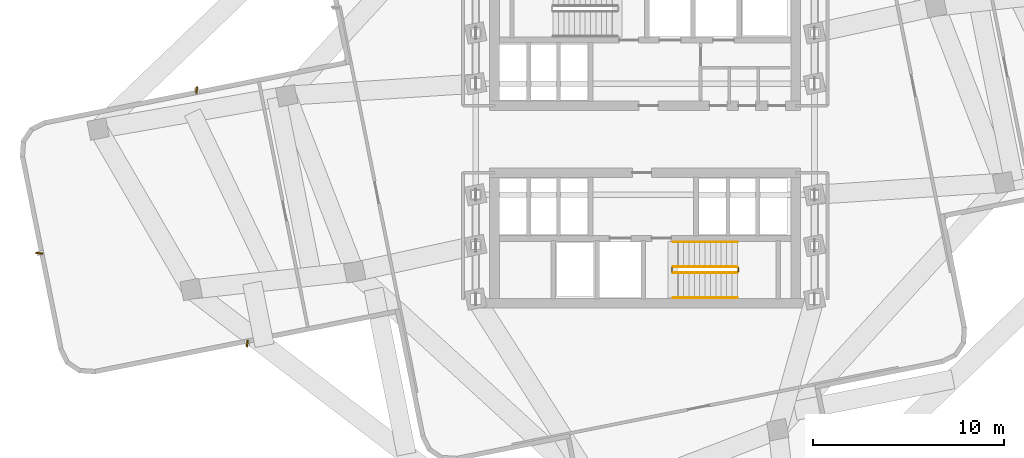
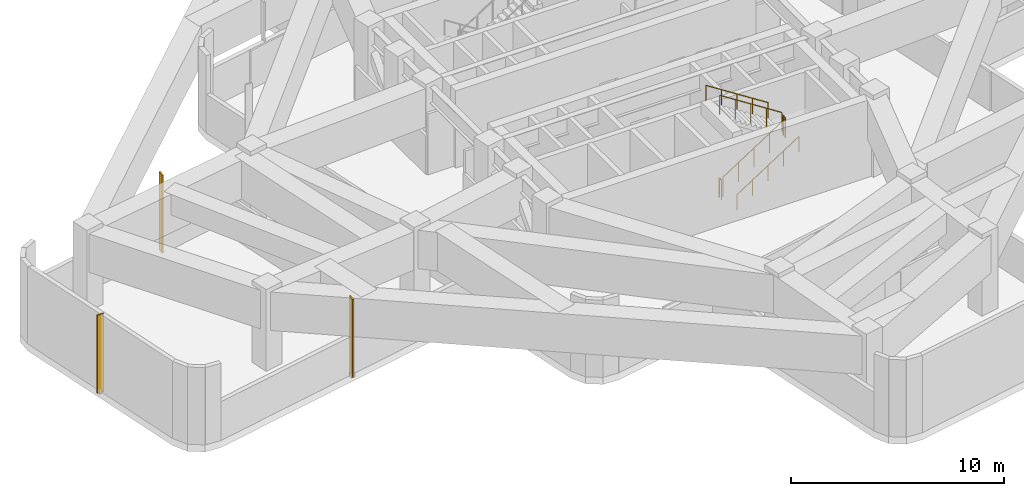
# One storey, part 6 of 7: 6 railings, 3 shading devices.
"""IFC4 building model written with IfcOpenShell, lengths in metres."""

from ifc_helpers import new_model, si_unit, direction, frame, origin, origin_2d, place, context, subcontext, project, spatial, rectangle, circle, extrude, material, layer, layer_set, type_object, element, save


model = new_model("IFC4")

# Units and contexts
model_context = context("Model", 3, precision=1e-05, world=origin(), true_north=direction((0.0, 1.0)))
body_context = subcontext(model_context, "Body", "Model", "MODEL_VIEW")
ifc_project = project(units=[si_unit("LENGTHUNIT", "METRE"), si_unit("AREAUNIT", "SQUARE_METRE"), si_unit("VOLUMEUNIT", "CUBIC_METRE"), si_unit("PLANEANGLEUNIT", "RADIAN"), si_unit("MASSUNIT", "GRAM", prefix="KILO")], contexts=[model_context])

# Site, building, storey
site_placement = place(None, origin())
site = spatial("IfcSite", under=ifc_project, at=site_placement, CompositionType="ELEMENT")
building_placement = place(site_placement, origin())
building = spatial("IfcBuilding", under=site, at=building_placement, Name="Solmarez Civic Tower", CompositionType="ELEMENT")
storey_placement = place(building_placement, frame((0.0, 0.0, 107.280029296875)))
storey = spatial("IfcBuildingStorey", under=building, at=storey_placement, Name="L28", CompositionType="ELEMENT", Elevation=107.280029296875)

# Railings
ifc_material_1 = material(Name="Painted Steel Stairwell Safety Guard", Category="steel")
railing_type_1 = type_object("IfcRailingType", Name="GUARD-STAIR-1120", PredefinedType="BALUSTRADE", material=ifc_material_1)
railing_1_placement = place(storey_placement, frame((1.449951171875, -6.969970703125, 0.179931640625)))
element("IfcRailing", 1, at=railing_1_placement, inside=storey, type_object=railing_type_1, Name="L28 ST-2 stair guard 1", PredefinedType="BALUSTRADE", context=body_context, shape_type="SweptSolid", body=[
    extrude(circle(Radius=0.02392578125, at=origin_2d()), frame((0.0, 0.0, 1.09619140625), z_axis=(0.8411685463, 0.0, 0.540773036232), x_axis=(0.0, 1.0, 0.0)), (0.0, 0.0, 1.0), 3.99462890625),
    extrude(circle(Radius=0.02099609375, at=origin_2d()), origin(), (0.0, 0.0, 1.0), 1.072021484375),
    extrude(circle(Radius=0.02099609375, at=origin_2d()), frame((0.840087890625, 0.0, 0.5400390625)), (0.0, 0.0, 1.0), 1.072021484375),
    extrude(circle(Radius=0.02099609375, at=origin_2d()), frame((1.68017578125, 0.0, 1.080078125)), (0.0, 0.0, 1.0), 1.072021484375),
    extrude(circle(Radius=0.02099609375, at=origin_2d()), frame((2.52001953125, 0.0, 1.6201171875)), (0.0, 0.0, 1.0), 1.072021484375),
    extrude(circle(Radius=0.02099609375, at=origin_2d()), frame((3.360107421875, 0.0, 2.16015625)), (0.0, 0.0, 1.0), 1.072021484375),
])
railing_2_placement = place(storey_placement, frame((4.860107421875, -6.919921875, 2.340087890625)))
element("IfcRailing", 2, at=railing_2_placement, inside=storey, type_object=railing_type_1, Name="L28 ST-2 stair guard 2", PredefinedType="BALUSTRADE", context=body_context, shape_type="SweptSolid", body=[
    extrude(circle(Radius=0.02392578125, at=origin_2d()), frame((0.0, 0.0, 1.09619140625), z_axis=(0.0, 1.0, 0.0), x_axis=(-1.0, 0.0, 0.0)), (0.0, 0.0, 1.0), 0.199951171875),
    extrude(circle(Radius=0.02099609375, at=origin_2d()), origin(), (0.0, 0.0, 1.0), 1.072021484375),
    extrude(circle(Radius=0.02099609375, at=origin_2d()), frame((0.0, 0.199951171875, 0.0)), (0.0, 0.0, 1.0), 1.072021484375),
])
railing_3_placement = place(storey_placement, frame((4.81005859375, -6.669921875, 2.52001953125)))
element("IfcRailing", 3, at=railing_3_placement, inside=storey, type_object=railing_type_1, Name="L28 ST-2 stair guard 3", PredefinedType="BALUSTRADE", context=body_context, shape_type="SweptSolid", body=[
    extrude(circle(Radius=0.02392578125, at=origin_2d()), frame((0.0, 0.0, 1.09619140625), z_axis=(-0.84119634759, 0.0, 0.540729789082), x_axis=(0.0, -1.0, 0.0)), (0.0, 0.0, 1.0), 3.994384765625),
    extrude(circle(Radius=0.02099609375, at=origin_2d()), origin(), (0.0, 0.0, 1.0), 1.072021484375),
    extrude(circle(Radius=0.02099609375, at=origin_2d()), frame((-0.840087890625, 0.0, 0.5400390625)), (0.0, 0.0, 1.0), 1.072021484375),
    extrude(circle(Radius=0.02099609375, at=origin_2d()), frame((-1.68017578125, 0.0, 1.080078125)), (0.0, 0.0, 1.0), 1.072021484375),
    extrude(circle(Radius=0.02099609375, at=origin_2d()), frame((-2.52001953125, 0.0, 1.619873046875)), (0.0, 0.0, 1.0), 1.072021484375),
    extrude(circle(Radius=0.02099609375, at=origin_2d()), frame((-3.360107421875, 0.0, 2.159912109375)), (0.0, 0.0, 1.0), 1.072021484375),
])
railing_4_placement = place(storey_placement, frame((1.39990234375, -6.919921875, 0.0)))
element("IfcRailing", 4, at=railing_4_placement, inside=storey, type_object=railing_type_1, Name="L28 ST-2 stair guard 4", PredefinedType="BALUSTRADE", context=body_context, shape_type="SweptSolid", body=[
    extrude(circle(Radius=0.02392578125, at=origin_2d()), frame((0.0, 0.0, 1.09619140625), z_axis=(0.0, 1.0, 0.0), x_axis=(-1.0, 0.0, 0.0)), (0.0, 0.0, 1.0), 0.199951171875),
    extrude(circle(Radius=0.02099609375, at=origin_2d()), origin(), (0.0, 0.0, 1.0), 1.072021484375),
    extrude(circle(Radius=0.02099609375, at=origin_2d()), frame((0.0, 0.199951171875, 0.0)), (0.0, 0.0, 1.0), 1.072021484375),
])
ifc_material_2 = material(Name="Brushed Stainless Steel Tube Handrail", Category="steel")
railing_type_2 = type_object("IfcRailingType", Name="HANDRAIL-STAIR-900", PredefinedType="HANDRAIL", material=ifc_material_2)
railing_5_placement = place(storey_placement, frame((1.449951171875, -8.27001953125, 0.179931640625)))
element("IfcRailing", 5, at=railing_5_placement, inside=storey, type_object=railing_type_2, Name="L28 ST-2 stair handrail 1", PredefinedType="HANDRAIL", context=body_context, shape_type="SweptSolid", body=[
    extrude(circle(Radius=0.02392578125, at=origin_2d()), frame((0.0, 0.0, 0.8759765625), z_axis=(0.8411685463, 0.0, 0.540773036232), x_axis=(0.0, 1.0, 0.0)), (0.0, 0.0, 1.0), 3.99462890625),
    extrude(circle(Radius=0.02099609375, at=origin_2d()), origin(), (0.0, 0.0, 1.0), 0.851806640625),
    extrude(circle(Radius=0.02099609375, at=origin_2d()), frame((0.840087890625, 0.0, 0.5400390625)), (0.0, 0.0, 1.0), 0.851806640625),
    extrude(circle(Radius=0.02099609375, at=origin_2d()), frame((1.68017578125, 0.0, 1.080078125)), (0.0, 0.0, 1.0), 0.851806640625),
    extrude(circle(Radius=0.02099609375, at=origin_2d()), frame((2.52001953125, 0.0, 1.6201171875)), (0.0, 0.0, 1.0), 0.851806640625),
    extrude(circle(Radius=0.02099609375, at=origin_2d()), frame((3.360107421875, 0.0, 2.16015625)), (0.0, 0.0, 1.0), 0.851806640625),
])
railing_6_placement = place(storey_placement, frame((4.81005859375, -5.3701171875, 2.52001953125)))
element("IfcRailing", 6, at=railing_6_placement, inside=storey, type_object=railing_type_2, Name="L28 ST-2 stair handrail 2", PredefinedType="HANDRAIL", context=body_context, shape_type="SweptSolid", body=[
    extrude(circle(Radius=0.02392578125, at=origin_2d()), frame((0.0, 0.0, 0.8759765625), z_axis=(-0.84119634759, 0.0, 0.540729789082), x_axis=(0.0, -1.0, 0.0)), (0.0, 0.0, 1.0), 3.994384765625),
    extrude(circle(Radius=0.02099609375, at=origin_2d()), origin(), (0.0, 0.0, 1.0), 0.851806640625),
    extrude(circle(Radius=0.02099609375, at=origin_2d()), frame((-0.840087890625, 0.0, 0.5400390625)), (0.0, 0.0, 1.0), 0.851806640625),
    extrude(circle(Radius=0.02099609375, at=origin_2d()), frame((-1.68017578125, 0.0, 1.080078125)), (0.0, 0.0, 1.0), 0.851806640625),
    extrude(circle(Radius=0.02099609375, at=origin_2d()), frame((-2.52001953125, 0.0, 1.619873046875)), (0.0, 0.0, 1.0), 0.851806640625),
    extrude(circle(Radius=0.02099609375, at=origin_2d()), frame((-3.360107421875, 0.0, 2.159912109375)), (0.0, 0.0, 1.0), 0.851806640625),
])

# Shading devices
ifc_material_3 = material(Name="Bronze Anodised Aluminium EN AW-6063 T6", Category="aluminium")
ifc_layer = layer(ifc_material_3, 0.080078125)
ifc_layer_set = layer_set([ifc_layer], Name="Bronze Anodised Aluminium EN AW-6063 T6")
shading_device_type = type_object("IfcShadingDeviceType", Name="LOUVRE-PLANT-1", PredefinedType="USERDEFINED", material=ifc_layer_set)
for number, where, z_axis, x_axis, name in (
    (7, (-20.784912109375, -10.677001953125, -0.0400390625), (0.0, 0.0, 1.0), (-0.071828204285, -0.997417018638, 0.0), "L28 Acoustic Plant Louvre LVR-L28-01"),
    (8, (-31.652099609375, -5.9560546875, -0.0400390625), (0.0, 0.0, 1.0), (-0.997412001653, 0.071897836954, 0.0), "L28 Acoustic Plant Louvre LVR-L28-02"),
    (9, (-23.427001953125, 2.572998046875, -0.0400390625), (0.0, 0.0, 1.0), (0.071845612485, 0.997415764848, 0.0), "L28 Acoustic Plant Louvre LVR-L28-03"),
):
    element("IfcShadingDevice", number, at=place(storey_placement, frame(where, z_axis=z_axis, x_axis=x_axis)), inside=storey, type_object=shading_device_type, Name=name, ObjectType="LOUVRE", PredefinedType="USERDEFINED", context=body_context, shape_type="SweptSolid", body=[
        extrude(rectangle(XDim=0.35009765625, YDim=0.080078125, at=origin_2d()), origin(), (0.0, 0.0, 1.0), 4.4599609375),
    ])

save(model, "model.ifc")
